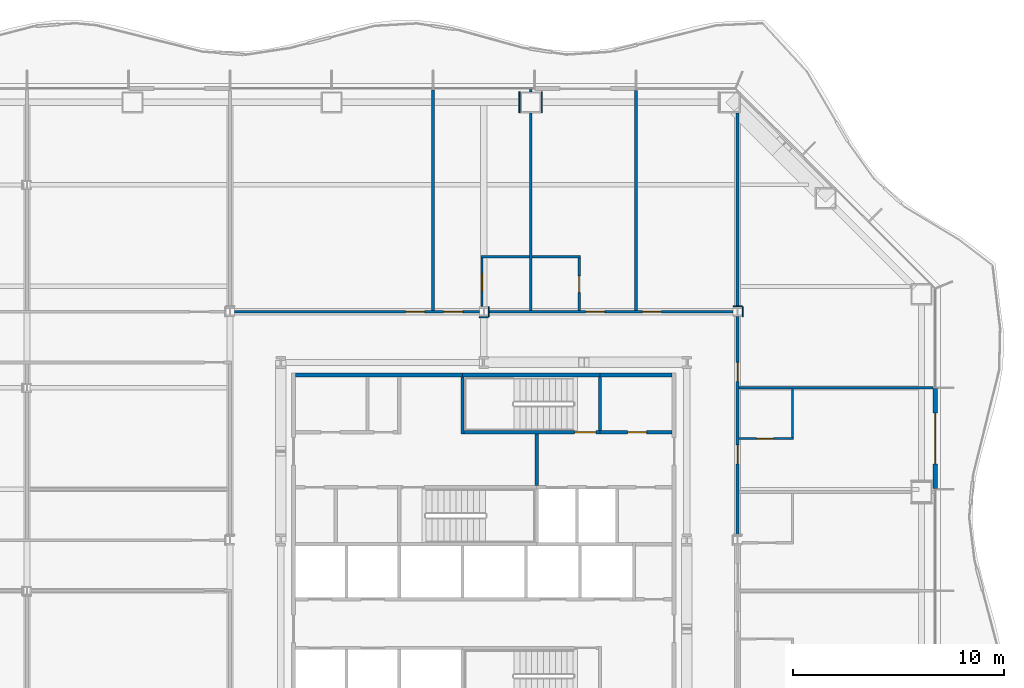
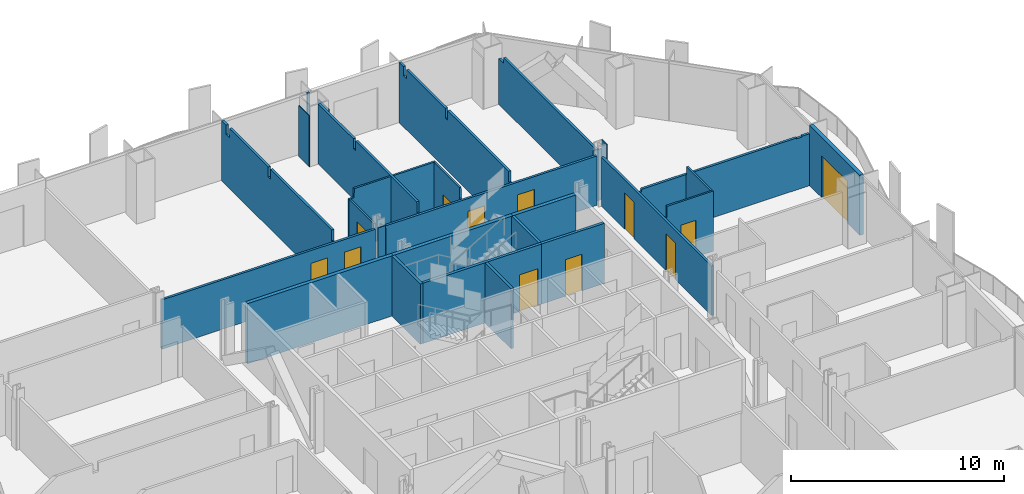
# One storey, part 13 of 21: 30 walls, 12 doors, 12 openings.
"""IFC4 building model written with IfcOpenShell, lengths in metres."""

from ifc_helpers import new_model, si_unit, direction, frame, frame_2d, origin, place, context, subcontext, project, spatial, polyline, rectangle, outline, extrude, material, layer, layer_set, type_object, element, fill, save


model = new_model("IFC4")

# Units and contexts
model_context = context("Model", 3, precision=1e-05, world=origin(), true_north=direction((0.0, 1.0)))
body_context = subcontext(model_context, "Body", "Model", "MODEL_VIEW")
ifc_project = project(units=[si_unit("LENGTHUNIT", "METRE"), si_unit("AREAUNIT", "SQUARE_METRE"), si_unit("VOLUMEUNIT", "CUBIC_METRE"), si_unit("PLANEANGLEUNIT", "RADIAN"), si_unit("MASSUNIT", "GRAM", prefix="KILO")], contexts=[model_context])

# Site, building, storey
site_placement = place(None, origin())
site = spatial("IfcSite", under=ifc_project, at=site_placement, CompositionType="ELEMENT")
building_placement = place(site_placement, origin())
building = spatial("IfcBuilding", under=site, at=building_placement, Name="Cairn Pilgrim Tower", CompositionType="ELEMENT")
storey_placement = place(building_placement, frame((0.0, 0.0, 54.60009765625)))
storey = spatial("IfcBuildingStorey", under=building, at=storey_placement, Name="L11", CompositionType="ELEMENT", Elevation=54.60009765625)

# Wall, opening, door
ifc_material_1 = material(Name="Bronze anodised aluminium insulated sandwich panel with mineral wool fill", Category="aluminium")
ifc_layer_1 = layer(ifc_material_1, 0.199951171875)
ifc_layer_set_1 = layer_set([ifc_layer_1], Name="BRONZE INFILL FRAME WALL 200")
wall_type_1 = type_object("IfcWallType", Name="BRONZE INFILL FRAME WALL 200", PredefinedType="NOTDEFINED", material=ifc_layer_set_1)
wall_1_placement = place(storey_placement, frame((28.550048828125, 4.830078125, 0.0), z_axis=(0.0, 0.0, 1.0), x_axis=(0.0, 1.0, 0.0)))
wall_1 = element("IfcWall", 1, at=wall_1_placement, inside=storey, type_object=wall_type_1, Name="Bronze infill frame wall IW-E5", PredefinedType="NOTDEFINED", context=body_context, shape_type="SweptSolid", body=[
    extrude(rectangle(XDim=4.739990234375, YDim=0.199951171875, at=frame_2d((2.3701171875, 0.0))), origin(), (0.0, 0.0, 1.0), 3.449951171875),
])
opening_1_placement = place(wall_1_placement, frame((1.169921875, 0.0, 0.0)))
opening_1 = element("IfcOpeningElement", 2, at=opening_1_placement, cuts=wall_1, Name="Opening 1126B", PredefinedType="OPENING", context=body_context, shape_type="SweptSolid", body=[
    extrude(rectangle(XDim=2.39990234375, YDim=2.39990234375, at=frame_2d((1.199951171875, 1.199951171875))), frame((0.0, 0.10986328125, 0.0), z_axis=(0.0, -1.0, 0.0), x_axis=(1.0, 0.0, 0.0)), (0.0, 0.0, 1.0), 0.219970703125),
])
ifc_material_2 = material(Name="Bronze anodised aluminium frame with tinted low-E glass", Category="aluminium")
door_type_1 = type_object("IfcDoorType", Name="BALCONY SLIDING DOOR 2400x2400", OperationType="DOUBLE_DOOR_SLIDING", PredefinedType="DOOR", material=ifc_material_2)
door_1_placement = place(opening_1_placement, origin())
door_1 = element("IfcDoor", 3, at=door_1_placement, inside=storey, type_object=door_type_1, Name="Balcony sliding door 1126B", OperationType="SINGLE_SWING_LEFT", OverallHeight=2.39990234375, OverallWidth=2.39990234375, PredefinedType="DOOR", context=body_context, shape_type="SweptSolid", body=[
    extrude(rectangle(XDim=2.39990234375, YDim=2.39990234375, at=frame_2d((1.199951171875, 1.199951171875))), frame((0.0, 0.02490234375, 0.0), z_axis=(0.0, -1.0, 0.0), x_axis=(1.0, 0.0, 0.0)), (0.0, 0.0, 1.0), 0.050048828125),
])
fill(opening_1, door_1)

# Walls
ifc_material_3 = material(Name="Concrete C32/40", Category="concrete")
ifc_layer_2 = layer(ifc_material_3, 0.199951171875)
ifc_layer_set_2 = layer_set([ifc_layer_2], Name="CORE OUTER WALL 200 EI 120")
wall_type_2 = type_object("IfcWallType", Name="CORE OUTER WALL 200 EI 120", PredefinedType="SOLIDWALL", material=ifc_layer_set_2)
wall_2_placement = place(storey_placement, frame((-1.699951171875, 10.199951171875, 0.0), z_axis=(0.0, 0.0, 1.0), x_axis=(1.0, 0.0, 0.0)))
element("IfcWall", 4, at=wall_2_placement, inside=storey, type_object=wall_type_2, Name="CW:L11:H11-1", PredefinedType="SOLIDWALL", context=body_context, shape_type="SweptSolid", body=[
    extrude(rectangle(XDim=7.89990234375, YDim=0.199951171875, at=frame_2d((3.949951171875, 0.0))), origin(), (0.0, 0.0, 1.0), 3.449951171875),
])
wall_3_placement = place(storey_placement, frame((12.699951171875, 10.199951171875, 0.0), z_axis=(0.0, 0.0, 1.0), x_axis=(1.0, 0.0, 0.0)))
element("IfcWall", 5, at=wall_3_placement, inside=storey, type_object=wall_type_2, Name="CW:L11:H11-3", PredefinedType="SOLIDWALL", context=body_context, shape_type="SweptSolid", body=[
    extrude(rectangle(XDim=3.400146484375, YDim=0.199951171875, at=frame_2d((1.7001953125, 0.0))), origin(), (0.0, 0.0, 1.0), 3.449951171875),
])

# Wall, opening, door
ifc_layer_3 = layer(ifc_material_3, 0.14990234375)
ifc_layer_set_3 = layer_set([ifc_layer_3], Name="CORE SHAFT WALL 150 EI 120")
wall_type_3 = type_object("IfcWallType", Name="CORE SHAFT WALL 150 EI 120", PredefinedType="SOLIDWALL", material=ifc_layer_set_3)
wall_4_placement = place(storey_placement, frame((12.699951171875, 7.5, 0.0), z_axis=(0.0, 0.0, 1.0), x_axis=(1.0, 0.0, 0.0)))
wall_4 = element("IfcWall", 6, at=wall_4_placement, inside=storey, type_object=wall_type_3, Name="CW:L11:H10-2", PredefinedType="SOLIDWALL", context=body_context, shape_type="SweptSolid", body=[
    extrude(rectangle(XDim=3.400146484375, YDim=0.14990234375, at=frame_2d((1.7001953125, 0.0))), origin(), (0.0, 0.0, 1.0), 3.449951171875),
])
opening_2_placement = place(wall_4_placement, frame((1.300048828125, 0.0, 0.0)))
opening_2 = element("IfcOpeningElement", 7, at=opening_2_placement, cuts=wall_4, Name="Opening RD-R4E", PredefinedType="OPENING", context=body_context, shape_type="SweptSolid", body=[
    extrude(rectangle(XDim=0.89990234375, YDim=2.10009765625, at=frame_2d((0.449951171875, 1.050048828125))), frame((0.0, 0.0849609375, 0.0), z_axis=(0.0, -1.0, 0.0), x_axis=(1.0, 0.0, 0.0)), (0.0, 0.0, 1.0), 0.169921875),
])
ifc_material_4 = material(Name="Painted steel", Category="steel")
door_type_2 = type_object("IfcDoorType", Name="SERVICE ROOM DOOR 900x2100", OperationType="SINGLE_SWING_LEFT", PredefinedType="DOOR", material=ifc_material_4)
door_2_placement = place(opening_2_placement, origin())
door_2 = element("IfcDoor", 8, at=door_2_placement, inside=storey, type_object=door_type_2, Name="RD-R4E", OperationType="SINGLE_SWING_RIGHT", OverallHeight=2.10009765625, OverallWidth=0.89990234375, PredefinedType="DOOR", context=body_context, shape_type="SweptSolid", body=[
    extrude(rectangle(XDim=0.89990234375, YDim=2.10009765625, at=frame_2d((0.449951171875, 1.050048828125))), frame((0.0, 0.02490234375, 0.0), z_axis=(0.0, -1.0, 0.0), x_axis=(1.0, 0.0, 0.0)), (0.0, 0.0, 1.0), 0.050048828125),
])
fill(opening_2, door_2)

# Wall
wall_5_placement = place(storey_placement, frame((9.699951171875, 4.97509765625, 0.0), z_axis=(0.0, 0.0, 1.0), x_axis=(0.0, 1.0, 0.0)))
element("IfcWall", 9, at=wall_5_placement, inside=storey, type_object=wall_type_3, Name="CW:L11:V26", PredefinedType="SOLIDWALL", context=body_context, shape_type="SweptSolid", body=[
    extrude(rectangle(XDim=2.449951171875, YDim=0.14990234375, at=frame_2d((1.22509765625, 0.0))), origin(), (0.0, 0.0, 1.0), 3.449951171875),
])

# Wall, opening, door
ifc_material_5 = material(Name="Gypsum partition")
ifc_layer_4 = layer(ifc_material_5, 0.10009765625)
ifc_layer_set_4 = layer_set([ifc_layer_4], Name="PARTITION 100 DRYWALL")
wall_type_4 = type_object("IfcWallType", Name="PARTITION 100 DRYWALL", PredefinedType="PARTITIONING", material=ifc_layer_set_4)
wall_6_placement = place(storey_placement, frame((19.262451171875, 7.199951171875, 0.0), z_axis=(0.0, 0.0, 1.0), x_axis=(1.0, 0.0, 0.0)))
wall_6 = element("IfcWall", 10, at=wall_6_placement, inside=storey, type_object=wall_type_4, Name="PARTITION W060", PredefinedType="PARTITIONING", context=body_context, shape_type="SweptSolid", body=[
    extrude(outline(polyline([(0.0, 0.0), (2.587646484375, 0.0), (2.58740234375, 3.449951171875), (0.08740234375, 3.449951171875), (0.08544921875, 2.829833984375), (0.0, 2.829833984375), (0.0, 0.0)])), frame((0.0, 0.050048828125, 0.0), z_axis=(0.0, -1.0, 0.0), x_axis=(1.0, 0.0, 0.0)), (0.0, 0.0, 1.0), 0.10009765625),
])
opening_3_placement = place(wall_6_placement, frame((0.83740234375, 0.0, 0.0)))
opening_3 = element("IfcOpeningElement", 11, at=opening_3_placement, cuts=wall_6, Name="Opening 1126E", PredefinedType="OPENING", context=body_context, shape_type="SweptSolid", body=[
    extrude(rectangle(XDim=0.800048828125, YDim=2.10009765625, at=frame_2d((0.39990234375, 1.050048828125))), frame((0.0, 0.06005859375, 0.0), z_axis=(0.0, -1.0, 0.0), x_axis=(1.0, 0.0, 0.0)), (0.0, 0.0, 1.0), 0.1201171875),
])
ifc_material_6 = material(Name="Timber door leaf", Category="wood")
door_type_3 = type_object("IfcDoorType", Name="DOOR 800x2100", OperationType="NOTDEFINED", PredefinedType="DOOR", material=ifc_material_6)
door_3_placement = place(opening_3_placement, origin())
door_3 = element("IfcDoor", 12, at=door_3_placement, inside=storey, type_object=door_type_3, Name="DOOR 1126E", OperationType="SINGLE_SWING_LEFT", OverallHeight=2.10009765625, OverallWidth=0.800048828125, PredefinedType="DOOR", context=body_context, shape_type="SweptSolid", body=[
    extrude(rectangle(XDim=0.800048828125, YDim=2.10009765625, at=frame_2d((0.39990234375, 1.050048828125))), frame((0.0, 0.02490234375, 0.0), z_axis=(0.0, -1.0, 0.0), x_axis=(1.0, 0.0, 0.0)), (0.0, 0.0, 1.0), 0.050048828125),
])
fill(opening_3, door_3)

# Wall
wall_7_placement = place(storey_placement, frame((21.800048828125, 7.25, 0.0), z_axis=(0.0, 0.0, 1.0), x_axis=(0.0, 1.0, 0.0)))
element("IfcWall", 13, at=wall_7_placement, inside=storey, type_object=wall_type_4, Name="PARTITION W061", PredefinedType="PARTITIONING", context=body_context, shape_type="SweptSolid", body=[
    extrude(outline(polyline([(0.0, 0.0), (2.28759765625, 0.0), (2.28759765625, 2.97998046875), (2.2548828125, 2.97998046875), (2.2529296875, 3.449951171875), (0.0, 3.449951171875), (0.0, 0.0)])), frame((0.0, 0.050048828125, 0.0), z_axis=(0.0, -1.0, 0.0), x_axis=(1.0, 0.0, 0.0)), (0.0, 0.0, 1.0), 0.10009765625),
])

# Wall, opening, door
wall_8_placement = place(storey_placement, frame((11.714111328125, 13.262451171875, 0.0), z_axis=(0.0, 0.0, 1.0), x_axis=(0.0, 1.0, 0.0)))
wall_8 = element("IfcWall", 14, at=wall_8_placement, inside=storey, type_object=wall_type_4, Name="PARTITION W073", PredefinedType="PARTITIONING", context=body_context, shape_type="SweptSolid", body=[
    extrude(outline(polyline([(0.0, 0.0), (2.487548828125, 0.0), (2.487548828125, 3.449951171875), (0.08740234375, 3.449951171875), (0.08544921875, 2.829833984375), (0.0, 2.829833984375), (0.0, 0.0)])), frame((0.0, 0.050048828125, 0.0), z_axis=(0.0, -1.0, 0.0), x_axis=(1.0, 0.0, 0.0)), (0.0, 0.0, 1.0), 0.10009765625),
])
opening_4_placement = place(wall_8_placement, frame((0.83740234375, 0.0, 0.0)))
opening_4 = element("IfcOpeningElement", 15, at=opening_4_placement, cuts=wall_8, Name="Opening 1120E", PredefinedType="OPENING", context=body_context, shape_type="SweptSolid", body=[
    extrude(rectangle(XDim=0.800048828125, YDim=2.10009765625, at=frame_2d((0.39990234375, 1.050048828125))), frame((0.0, 0.06005859375, 0.0), z_axis=(0.0, -1.0, 0.0), x_axis=(1.0, 0.0, 0.0)), (0.0, 0.0, 1.0), 0.1201171875),
])
door_4_placement = place(opening_4_placement, origin())
door_4 = element("IfcDoor", 16, at=door_4_placement, inside=storey, type_object=door_type_3, Name="DOOR 1120E", OperationType="SINGLE_SWING_LEFT", OverallHeight=2.10009765625, OverallWidth=0.800048828125, PredefinedType="DOOR", context=body_context, shape_type="SweptSolid", body=[
    extrude(rectangle(XDim=0.800048828125, YDim=2.10009765625, at=frame_2d((0.39990234375, 1.050048828125))), frame((0.0, 0.02490234375, 0.0), z_axis=(0.0, -1.0, 0.0), x_axis=(1.0, 0.0, 0.0)), (0.0, 0.0, 1.0), 0.050048828125),
])
fill(opening_4, door_4)

wall_9_placement = place(storey_placement, frame((7.114013671875, 13.43701171875, 0.0), z_axis=(0.0, 0.0, 1.0), x_axis=(0.0, 1.0, 0.0)))
wall_9 = element("IfcWall", 17, at=wall_9_placement, inside=storey, type_object=wall_type_4, Name="PARTITION W076", PredefinedType="PARTITIONING", context=body_context, shape_type="SweptSolid", body=[
    extrude(rectangle(XDim=2.31298828125, YDim=0.10009765625, at=frame_2d((1.156494140625, 0.0))), origin(), (0.0, 0.0, 1.0), 2.929931640625),
])
opening_5_placement = place(wall_9_placement, frame((0.762939453125, 0.0, 0.0)))
opening_5 = element("IfcOpeningElement", 18, at=opening_5_placement, cuts=wall_9, Name="Opening 1119E", PredefinedType="OPENING", context=body_context, shape_type="SweptSolid", body=[
    extrude(rectangle(XDim=0.800048828125, YDim=2.10009765625, at=frame_2d((0.39990234375, 1.050048828125))), frame((0.0, 0.06005859375, 0.0), z_axis=(0.0, -1.0, 0.0), x_axis=(1.0, 0.0, 0.0)), (0.0, 0.0, 1.0), 0.1201171875),
])
door_5_placement = place(opening_5_placement, frame((0.800048828125, 0.0, 0.0), z_axis=(0.0, 0.0, 1.0), x_axis=(-1.0, 0.0, 0.0)))
door_5 = element("IfcDoor", 19, at=door_5_placement, inside=storey, type_object=door_type_3, Name="DOOR 1119E", OperationType="SINGLE_SWING_LEFT", OverallHeight=2.10009765625, OverallWidth=0.800048828125, PredefinedType="DOOR", context=body_context, shape_type="SweptSolid", body=[
    extrude(rectangle(XDim=0.800048828125, YDim=2.10009765625, at=frame_2d((0.39990234375, 1.050048828125))), frame((0.0, 0.02490234375, 0.0), z_axis=(0.0, -1.0, 0.0), x_axis=(1.0, 0.0, 0.0)), (0.0, 0.0, 1.0), 0.050048828125),
])
fill(opening_5, door_5)

# Walls
wall_10_placement = place(storey_placement, frame((7.06396484375, 15.800048828125, 0.0), z_axis=(0.0, 0.0, 1.0), x_axis=(1.0, 0.0, 0.0)))
element("IfcWall", 20, at=wall_10_placement, inside=storey, type_object=wall_type_4, Name="PARTITION W080", PredefinedType="PARTITIONING", context=body_context, shape_type="SweptSolid", body=[
    extrude(outline(polyline([(0.0, 0.0), (2.28759765625, 0.0), (2.28759765625, 3.449951171875), (0.285888671875, 3.449951171875), (0.283935546875, 2.929931640625), (0.0, 2.929931640625), (0.0, 0.0)])), frame((0.0, 0.050048828125, 0.0), z_axis=(0.0, -1.0, 0.0), x_axis=(1.0, 0.0, 0.0)), (0.0, 0.0, 1.0), 0.10009765625),
])
wall_11_placement = place(storey_placement, frame((9.4765625, 15.800048828125, 0.0), z_axis=(0.0, 0.0, 1.0), x_axis=(1.0, 0.0, 0.0)))
element("IfcWall", 21, at=wall_11_placement, inside=storey, type_object=wall_type_4, Name="PARTITION W081", PredefinedType="PARTITIONING", context=body_context, shape_type="SweptSolid", body=[
    extrude(rectangle(XDim=2.287353515625, YDim=0.10009765625, at=frame_2d((1.1435546875, 0.0))), origin(), (0.0, 0.0, 1.0), 3.449951171875),
])

# Wall, openings, doors
ifc_layer_5 = layer(ifc_material_5, 0.125)
ifc_layer_set_5 = layer_set([ifc_layer_5], Name="PARTITION 125 DRYWALL EI 60")
wall_type_5 = type_object("IfcWallType", Name="PARTITION 125 DRYWALL EI 60", PredefinedType="PARTITIONING", material=ifc_layer_set_5)
wall_12_placement = place(storey_placement, frame((19.199951171875, 2.636962890625, 0.0), z_axis=(0.0, 0.0, 1.0), x_axis=(0.0, 1.0, 0.0)))
wall_12 = element("IfcWall", 22, at=wall_12_placement, inside=storey, type_object=wall_type_5, Name="PARTITION W054", PredefinedType="PARTITIONING", context=body_context, shape_type="SweptSolid", body=[
    extrude(rectangle(XDim=10.325927734375, YDim=0.125, at=frame_2d((5.1630859375, 0.0))), origin(), (0.0, 0.0, 1.0), 2.829833984375),
])
opening_6_placement = place(wall_12_placement, frame((3.363037109375, 0.0, 0.0)))
opening_6 = element("IfcOpeningElement", 23, at=opening_6_placement, cuts=wall_12, Name="Opening 1126", PredefinedType="OPENING", context=body_context, shape_type="SweptSolid", body=[
    extrude(rectangle(XDim=0.89990234375, YDim=2.10009765625, at=frame_2d((0.449951171875, 1.050048828125))), frame((0.0, 0.072509765625, 0.0), z_axis=(0.0, -1.0, 0.0), x_axis=(1.0, 0.0, 0.0)), (0.0, 0.0, 1.0), 0.14501953125),
])
opening_7_placement = place(wall_12_placement, frame((7.262939453125, 0.0, 0.0)))
opening_7 = element("IfcOpeningElement", 24, at=opening_7_placement, cuts=wall_12, Name="Opening 1127", PredefinedType="OPENING", context=body_context, shape_type="SweptSolid", body=[
    extrude(rectangle(XDim=0.89990234375, YDim=2.10009765625, at=frame_2d((0.449951171875, 1.050048828125))), frame((0.0, 0.072509765625, 0.0), z_axis=(0.0, -1.0, 0.0), x_axis=(1.0, 0.0, 0.0)), (0.0, 0.0, 1.0), 0.14501953125),
])
ifc_material_7 = material(Name="Steel-faced fire door leaf", Category="steel")
door_type_4 = type_object("IfcDoorType", Name="FIRE DOOR 900x2100 FD30S", OperationType="NOTDEFINED", PredefinedType="DOOR", material=ifc_material_7)
door_6_placement = place(opening_6_placement, frame((0.89990234375, 0.0, 0.0), z_axis=(0.0, 0.0, 1.0), x_axis=(-1.0, 0.0, 0.0)))
door_6 = element("IfcDoor", 25, at=door_6_placement, inside=storey, type_object=door_type_4, Name="DOOR 1126", OperationType="SINGLE_SWING_RIGHT", OverallHeight=2.10009765625, OverallWidth=0.89990234375, PredefinedType="DOOR", context=body_context, shape_type="SweptSolid", body=[
    extrude(rectangle(XDim=0.89990234375, YDim=2.10009765625, at=frame_2d((0.449951171875, 1.050048828125))), frame((0.0, 0.02490234375, 0.0), z_axis=(0.0, -1.0, 0.0), x_axis=(1.0, 0.0, 0.0)), (0.0, 0.0, 1.0), 0.050048828125),
])
fill(opening_6, door_6)
door_7_placement = place(opening_7_placement, frame((0.89990234375, 0.0, 0.0), z_axis=(0.0, 0.0, 1.0), x_axis=(-1.0, 0.0, 0.0)))
door_7 = element("IfcDoor", 26, at=door_7_placement, inside=storey, type_object=door_type_4, Name="DOOR 1127", OperationType="SINGLE_SWING_RIGHT", OverallHeight=2.10009765625, OverallWidth=0.89990234375, PredefinedType="DOOR", context=body_context, shape_type="SweptSolid", body=[
    extrude(rectangle(XDim=0.89990234375, YDim=2.10009765625, at=frame_2d((0.449951171875, 1.050048828125))), frame((0.0, 0.02490234375, 0.0), z_axis=(0.0, -1.0, 0.0), x_axis=(1.0, 0.0, 0.0)), (0.0, 0.0, 1.0), 0.050048828125),
])
fill(opening_7, door_7)

# Wall
wall_13_placement = place(storey_placement, frame((19.262451171875, 9.60009765625, 0.0), z_axis=(0.0, 0.0, 1.0), x_axis=(1.0, 0.0, 0.0)))
element("IfcWall", 27, at=wall_13_placement, inside=storey, type_object=wall_type_5, Name="PARTITION W063", PredefinedType="PARTITIONING", context=body_context, shape_type="SweptSolid", body=[
    extrude(outline(polyline([(0.0, 0.0), (9.1875, 0.0), (9.1875, 2.97998046875), (8.78759765625, 2.97998046875), (8.785400390625, 2.929931640625), (8.487548828125, 2.929931640625), (8.485595703125, 2.97998046875), (0.08740234375, 2.97998046875), (0.08544921875, 2.829833984375), (0.0, 2.829833984375), (0.0, 0.0)])), frame((0.0, 0.0625, 0.0), z_axis=(0.0, -1.0, 0.0), x_axis=(1.0, 0.0, 0.0)), (0.0, 0.0, 1.0), 0.125),
])

# Wall, openings, doors
wall_14_placement = place(storey_placement, frame((-4.587890625, 13.199951171875, 0.0), z_axis=(0.0, 0.0, 1.0), x_axis=(1.0, 0.0, 0.0)))
wall_14 = element("IfcWall", 28, at=wall_14_placement, inside=storey, type_object=wall_type_5, Name="PARTITION W067", PredefinedType="PARTITIONING", context=body_context, shape_type="SweptSolid", body=[
    extrude(rectangle(XDim=11.575927734375, YDim=0.125, at=frame_2d((5.7880859375, 0.0))), origin(), (0.0, 0.0, 1.0), 2.829833984375),
])
opening_8_placement = place(wall_14_placement, frame((8.087890625, 0.0, 0.0)))
opening_8 = element("IfcOpeningElement", 29, at=opening_8_placement, cuts=wall_14, Name="Opening 1118", PredefinedType="OPENING", context=body_context, shape_type="SweptSolid", body=[
    extrude(rectangle(XDim=0.89990234375, YDim=2.10009765625, at=frame_2d((0.449951171875, 1.050048828125))), frame((0.0, 0.072509765625, 0.0), z_axis=(0.0, -1.0, 0.0), x_axis=(1.0, 0.0, 0.0)), (0.0, 0.0, 1.0), 0.14501953125),
])
opening_9_placement = place(wall_14_placement, frame((9.887939453125, 0.0, 0.0)))
opening_9 = element("IfcOpeningElement", 30, at=opening_9_placement, cuts=wall_14, Name="Opening 1119", PredefinedType="OPENING", context=body_context, shape_type="SweptSolid", body=[
    extrude(rectangle(XDim=0.89990234375, YDim=2.10009765625, at=frame_2d((0.449951171875, 1.050048828125))), frame((0.0, 0.072509765625, 0.0), z_axis=(0.0, -1.0, 0.0), x_axis=(1.0, 0.0, 0.0)), (0.0, 0.0, 1.0), 0.14501953125),
])
door_8_placement = place(opening_8_placement, origin())
door_8 = element("IfcDoor", 31, at=door_8_placement, inside=storey, type_object=door_type_4, Name="DOOR 1118", OperationType="SINGLE_SWING_LEFT", OverallHeight=2.10009765625, OverallWidth=0.89990234375, PredefinedType="DOOR", context=body_context, shape_type="SweptSolid", body=[
    extrude(rectangle(XDim=0.89990234375, YDim=2.10009765625, at=frame_2d((0.449951171875, 1.050048828125))), frame((0.0, 0.02490234375, 0.0), z_axis=(0.0, -1.0, 0.0), x_axis=(1.0, 0.0, 0.0)), (0.0, 0.0, 1.0), 0.050048828125),
])
fill(opening_8, door_8)
door_9_placement = place(opening_9_placement, origin())
door_9 = element("IfcDoor", 32, at=door_9_placement, inside=storey, type_object=door_type_4, Name="DOOR 1119", OperationType="SINGLE_SWING_RIGHT", OverallHeight=2.10009765625, OverallWidth=0.89990234375, PredefinedType="DOOR", context=body_context, shape_type="SweptSolid", body=[
    extrude(rectangle(XDim=0.89990234375, YDim=2.10009765625, at=frame_2d((0.449951171875, 1.050048828125))), frame((0.0, 0.02490234375, 0.0), z_axis=(0.0, -1.0, 0.0), x_axis=(1.0, 0.0, 0.0)), (0.0, 0.0, 1.0), 0.050048828125),
])
fill(opening_9, door_9)

wall_15_placement = place(storey_placement, frame((7.412109375, 13.199951171875, 0.0), z_axis=(0.0, 0.0, 1.0), x_axis=(1.0, 0.0, 0.0)))
wall_15 = element("IfcWall", 33, at=wall_15_placement, inside=storey, type_object=wall_type_5, Name="PARTITION W068", PredefinedType="PARTITIONING", context=body_context, shape_type="SweptSolid", body=[
    extrude(rectangle(XDim=11.575927734375, YDim=0.125, at=frame_2d((5.7880859375, 0.0))), origin(), (0.0, 0.0, 1.0), 2.829833984375),
])
opening_10_placement = place(wall_15_placement, frame((4.60205078125, 0.0, 0.0)))
opening_10 = element("IfcOpeningElement", 34, at=opening_10_placement, cuts=wall_15, Name="Opening 1120", PredefinedType="OPENING", context=body_context, shape_type="SweptSolid", body=[
    extrude(rectangle(XDim=0.89990234375, YDim=2.10009765625, at=frame_2d((0.449951171875, 1.050048828125))), frame((0.0, 0.072509765625, 0.0), z_axis=(0.0, -1.0, 0.0), x_axis=(1.0, 0.0, 0.0)), (0.0, 0.0, 1.0), 0.14501953125),
])
opening_11_placement = place(wall_15_placement, frame((7.2880859375, 0.0, 0.0)))
opening_11 = element("IfcOpeningElement", 35, at=opening_11_placement, cuts=wall_15, Name="Opening 1121", PredefinedType="OPENING", context=body_context, shape_type="SweptSolid", body=[
    extrude(rectangle(XDim=0.89990234375, YDim=2.10009765625, at=frame_2d((0.449951171875, 1.050048828125))), frame((0.0, 0.072509765625, 0.0), z_axis=(0.0, -1.0, 0.0), x_axis=(1.0, 0.0, 0.0)), (0.0, 0.0, 1.0), 0.14501953125),
])
door_10_placement = place(opening_10_placement, origin())
door_10 = element("IfcDoor", 36, at=door_10_placement, inside=storey, type_object=door_type_4, Name="DOOR 1120", OperationType="SINGLE_SWING_RIGHT", OverallHeight=2.10009765625, OverallWidth=0.89990234375, PredefinedType="DOOR", context=body_context, shape_type="SweptSolid", body=[
    extrude(rectangle(XDim=0.89990234375, YDim=2.10009765625, at=frame_2d((0.449951171875, 1.050048828125))), frame((0.0, 0.02490234375, 0.0), z_axis=(0.0, -1.0, 0.0), x_axis=(1.0, 0.0, 0.0)), (0.0, 0.0, 1.0), 0.050048828125),
])
fill(opening_10, door_10)
door_11_placement = place(opening_11_placement, origin())
door_11 = element("IfcDoor", 37, at=door_11_placement, inside=storey, type_object=door_type_4, Name="DOOR 1121", OperationType="SINGLE_SWING_RIGHT", OverallHeight=2.10009765625, OverallWidth=0.89990234375, PredefinedType="DOOR", context=body_context, shape_type="SweptSolid", body=[
    extrude(rectangle(XDim=0.89990234375, YDim=2.10009765625, at=frame_2d((0.449951171875, 1.050048828125))), frame((0.0, 0.02490234375, 0.0), z_axis=(0.0, -1.0, 0.0), x_axis=(1.0, 0.0, 0.0)), (0.0, 0.0, 1.0), 0.050048828125),
])
fill(opening_11, door_11)

# Walls
wall_16_placement = place(storey_placement, frame((4.800048828125, 13.262451171875, 0.0), z_axis=(0.0, 0.0, 1.0), x_axis=(0.0, 1.0, 0.0)))
element("IfcWall", 38, at=wall_16_placement, inside=storey, type_object=wall_type_5, Name="PARTITION W071", PredefinedType="PARTITIONING", context=body_context, shape_type="SweptSolid", body=[
    extrude(outline(polyline([(0.0, 0.0), (10.427490234375, 0.0), (10.427490234375, 3.449951171875), (9.987548828125, 3.449951171875), (9.985595703125, 2.929931640625), (9.6875, 2.929931640625), (9.685546875, 3.449951171875), (6.04248046875, 3.449951171875), (6.04052734375, 2.8798828125), (5.83251953125, 2.8798828125), (5.83056640625, 3.449951171875), (0.08740234375, 3.449951171875), (0.08544921875, 2.829833984375), (0.0, 2.829833984375), (0.0, 0.0)])), frame((0.0, 0.0625, 0.0), z_axis=(0.0, -1.0, 0.0), x_axis=(1.0, 0.0, 0.0)), (0.0, 0.0, 1.0), 0.125),
])
wall_17_placement = place(storey_placement, frame((9.4140625, 13.262451171875, 0.0), z_axis=(0.0, 0.0, 1.0), x_axis=(0.0, 1.0, 0.0)))
element("IfcWall", 39, at=wall_17_placement, inside=storey, type_object=wall_type_5, Name="PARTITION W072", PredefinedType="PARTITIONING", context=body_context, shape_type="SweptSolid", body=[
    extrude(outline(polyline([(0.0, 0.0), (9.337646484375, 0.0), (9.33740234375, 3.449951171875), (6.04248046875, 3.449951171875), (6.04052734375, 2.8798828125), (5.83251953125, 2.8798828125), (5.83056640625, 3.449951171875), (0.08740234375, 3.449951171875), (0.08544921875, 2.829833984375), (0.0, 2.829833984375), (0.0, 0.0)])), frame((0.0, 0.0625, 0.0), z_axis=(0.0, -1.0, 0.0), x_axis=(1.0, 0.0, 0.0)), (0.0, 0.0, 1.0), 0.125),
])
wall_18_placement = place(storey_placement, frame((14.39990234375, 13.262451171875, 0.0), z_axis=(0.0, 0.0, 1.0), x_axis=(0.0, 1.0, 0.0)))
element("IfcWall", 40, at=wall_18_placement, inside=storey, type_object=wall_type_5, Name="PARTITION W074", PredefinedType="PARTITIONING", context=body_context, shape_type="SweptSolid", body=[
    extrude(outline(polyline([(0.0, 0.0), (10.387451171875, 0.0), (10.387451171875, 3.449951171875), (9.987548828125, 3.449951171875), (9.985595703125, 2.929931640625), (9.6875, 2.929931640625), (9.685546875, 3.449951171875), (6.04248046875, 3.449951171875), (6.04052734375, 2.8798828125), (5.83251953125, 2.8798828125), (5.83056640625, 3.449951171875), (0.08740234375, 3.449951171875), (0.08544921875, 2.829833984375), (0.0, 2.829833984375), (0.0, 0.0)])), frame((0.0, 0.0625, 0.0), z_axis=(0.0, -1.0, 0.0), x_axis=(1.0, 0.0, 0.0)), (0.0, 0.0, 1.0), 0.125),
])
wall_19_placement = place(storey_placement, frame((19.199951171875, 13.43701171875, 0.0), z_axis=(0.0, 0.0, 1.0), x_axis=(0.0, 1.0, 0.0)))
element("IfcWall", 41, at=wall_19_placement, inside=storey, type_object=wall_type_5, Name="PARTITION W077", PredefinedType="PARTITIONING", context=body_context, shape_type="SweptSolid", body=[
    extrude(outline(polyline([(0.0, 0.0), (9.1630859375, 0.0), (9.1630859375, 2.6298828125), (8.732666015625, 2.6298828125), (8.730712890625, 2.929931640625), (0.0, 2.929931640625), (0.0, 0.0)])), frame((0.0, 0.0625, 0.0), z_axis=(0.0, -1.0, 0.0), x_axis=(1.0, 0.0, 0.0)), (0.0, 0.0, 1.0), 0.125),
])
wall_20_placement = place(storey_placement, frame((9.4140625, 23.60009765625, 0.0), z_axis=(0.0, 0.0, 1.0), x_axis=(0.0, 1.0, 0.0)))
element("IfcWall", 42, at=wall_20_placement, inside=storey, type_object=wall_type_5, Name="PARTITION W083", PredefinedType="PARTITIONING", context=body_context, shape_type="SweptSolid", body=[
    extrude(rectangle(XDim=0.102783203125, YDim=0.125, at=frame_2d((0.05126953125, 0.0))), origin(), (0.0, 0.0, 1.0), 3.449951171875),
])
ifc_layer_6 = layer(ifc_material_5, 0.050048828125)
ifc_layer_set_6 = layer_set([ifc_layer_6], Name="PARTITION 50 DRYWALL")
wall_type_6 = type_object("IfcWallType", Name="PARTITION 50 DRYWALL", PredefinedType="PARTITIONING", material=ifc_layer_set_6)
wall_21_placement = place(storey_placement, frame((7.43701171875, 12.962890625, 0.0), z_axis=(0.0, 0.0, 1.0), x_axis=(0.0, 1.0, 0.0)))
element("IfcWall", 43, at=wall_21_placement, inside=storey, type_object=wall_type_6, Name="COLUMN CASING WC37", PredefinedType="PARTITIONING", context=body_context, shape_type="SweptSolid", body=[
    extrude(rectangle(XDim=0.47412109375, YDim=0.050048828125, at=frame_2d((0.237060546875, 0.0))), origin(), (0.0, 0.0, 1.0), 2.829833984375),
])
ifc_layer_7 = layer(ifc_material_5, 0.050048828125)
ifc_layer_set_7 = layer_set([ifc_layer_7], Name="PARTITION 50 DRYWALL EI 60")
wall_type_7 = type_object("IfcWallType", Name="PARTITION 50 DRYWALL EI 60", PredefinedType="PARTITIONING", material=ifc_layer_set_7)
wall_22_placement = place(storey_placement, frame((19.43701171875, 12.962890625, 0.0), z_axis=(0.0, 0.0, 1.0), x_axis=(0.0, 1.0, 0.0)))
element("IfcWall", 44, at=wall_22_placement, inside=storey, type_object=wall_type_7, Name="COLUMN CASING WC11", PredefinedType="PARTITIONING", context=body_context, shape_type="SweptSolid", body=[
    extrude(rectangle(XDim=0.47412109375, YDim=0.050048828125, at=frame_2d((0.237060546875, 0.0))), origin(), (0.0, 0.0, 1.0), 3.449951171875),
])
wall_23_placement = place(storey_placement, frame((6.988037109375, 12.93798828125, 0.0), z_axis=(0.0, 0.0, 1.0), x_axis=(1.0, 0.0, 0.0)))
element("IfcWall", 45, at=wall_23_placement, inside=storey, type_object=wall_type_7, Name="COLUMN CASING WC31", PredefinedType="PARTITIONING", context=body_context, shape_type="SweptSolid", body=[
    extrude(rectangle(XDim=0.424072265625, YDim=0.050048828125, at=frame_2d((0.2119140625, 0.0))), origin(), (0.0, 0.0, 1.0), 3.02978515625),
])
wall_24_placement = place(storey_placement, frame((18.988037109375, 13.4619140625, 0.0), z_axis=(0.0, 0.0, 1.0), x_axis=(1.0, 0.0, 0.0)))
element("IfcWall", 46, at=wall_24_placement, inside=storey, type_object=wall_type_7, Name="COLUMN CASING WC32", PredefinedType="PARTITIONING", context=body_context, shape_type="SweptSolid", body=[
    extrude(rectangle(XDim=0.424072265625, YDim=0.050048828125, at=frame_2d((0.2119140625, 0.0))), origin(), (0.0, 0.0, 1.0), 2.929931640625),
])
for number, where, z_axis, x_axis, name in (
    (47, (8.888671875, 22.60009765625, 0.0), (0.0, 0.0, 1.0), (0.0, 1.0, 0.0), "COLUMN CASING WC38"),
    (48, (9.938720703125, 22.60009765625, 0.0), (0.0, 0.0, 1.0), (0.0, 1.0, 0.0), "COLUMN CASING WC39"),
):
    element("IfcWall", number, at=place(storey_placement, frame(where, z_axis=z_axis, x_axis=x_axis)), inside=storey, type_object=wall_type_7, Name=name, PredefinedType="PARTITIONING", context=body_context, shape_type="SweptSolid", body=[
        extrude(rectangle(XDim=1.0, YDim=0.050048828125, at=frame_2d((0.5, 0.0))), origin(), (0.0, 0.0, 1.0), 2.929931640625),
    ])

# Wall, opening, door
ifc_material_8 = material(Name="Concrete C35/45", Category="concrete")
ifc_layer_8 = layer(ifc_material_8, 0.14990234375)
ifc_layer_set_8 = layer_set([ifc_layer_8], Name="STAIR SHAFT WALL 150 EI 120")
wall_type_8 = type_object("IfcWallType", Name="STAIR SHAFT WALL 150 EI 120", PredefinedType="SOLIDWALL", material=ifc_layer_set_8)
wall_25_placement = place(storey_placement, frame((6.27490234375, 7.5, 0.0), z_axis=(0.0, 0.0, 1.0), x_axis=(1.0, 0.0, 0.0)))
wall_25 = element("IfcWall", 49, at=wall_25_placement, inside=storey, type_object=wall_type_8, Name="CW:L11:H10-1", PredefinedType="SOLIDWALL", context=body_context, shape_type="SweptSolid", body=[
    extrude(rectangle(XDim=6.425048828125, YDim=0.14990234375, at=frame_2d((3.21240234375, 0.0))), origin(), (0.0, 0.0, 1.0), 3.449951171875),
])
opening_12_placement = place(wall_25_placement, frame((5.22509765625, 0.0, 0.0)))
opening_12 = element("IfcOpeningElement", 50, at=opening_12_placement, cuts=wall_25, Name="Opening SD-C", PredefinedType="OPENING", context=body_context, shape_type="SweptSolid", body=[
    extrude(rectangle(XDim=1.0, YDim=2.10009765625, at=frame_2d((0.5, 1.050048828125))), frame((0.0, 0.0849609375, 0.0), z_axis=(0.0, -1.0, 0.0), x_axis=(1.0, 0.0, 0.0)), (0.0, 0.0, 1.0), 0.169921875),
])
door_type_5 = type_object("IfcDoorType", Name="STAIR DOOR FD60S 1000x2100", OperationType="SINGLE_SWING_LEFT", PredefinedType="DOOR", material=ifc_material_4)
door_12_placement = place(opening_12_placement, origin())
door_12 = element("IfcDoor", 51, at=door_12_placement, inside=storey, type_object=door_type_5, Name="SD-C", OperationType="SINGLE_SWING_LEFT", OverallHeight=2.10009765625, OverallWidth=1.0, PredefinedType="DOOR", context=body_context, shape_type="SweptSolid", body=[
    extrude(rectangle(XDim=1.0, YDim=2.10009765625, at=frame_2d((0.5, 1.050048828125))), frame((0.0, 0.02490234375, 0.0), z_axis=(0.0, -1.0, 0.0), x_axis=(1.0, 0.0, 0.0)), (0.0, 0.0, 1.0), 0.050048828125),
])
fill(opening_12, door_12)

# Walls
wall_26_placement = place(storey_placement, frame((6.199951171875, 7.425048828125, 0.0), z_axis=(0.0, 0.0, 1.0), x_axis=(0.0, 1.0, 0.0)))
element("IfcWall", 52, at=wall_26_placement, inside=storey, type_object=wall_type_8, Name="CW:L11:V23", PredefinedType="SOLIDWALL", context=body_context, shape_type="SweptSolid", body=[
    extrude(rectangle(XDim=2.675048828125, YDim=0.14990234375, at=frame_2d((1.33740234375, 0.0))), origin(), (0.0, 0.0, 1.0), 3.449951171875),
])
wall_27_placement = place(storey_placement, frame((12.699951171875, 7.574951171875, 0.0), z_axis=(0.0, 0.0, 1.0), x_axis=(0.0, 1.0, 0.0)))
element("IfcWall", 53, at=wall_27_placement, inside=storey, type_object=wall_type_8, Name="CW:L11:V30", PredefinedType="SOLIDWALL", context=body_context, shape_type="SweptSolid", body=[
    extrude(rectangle(XDim=2.525146484375, YDim=0.14990234375, at=frame_2d((1.2626953125, 0.0))), origin(), (0.0, 0.0, 1.0), 3.449951171875),
])
ifc_layer_9 = layer(ifc_material_8, 0.199951171875)
ifc_layer_set_9 = layer_set([ifc_layer_9], Name="STAIR SHAFT WALL 200 EI 120")
wall_type_9 = type_object("IfcWallType", Name="STAIR SHAFT WALL 200 EI 120", PredefinedType="SOLIDWALL", material=ifc_layer_set_9)
wall_28_placement = place(storey_placement, frame((6.199951171875, 10.199951171875, 0.0), z_axis=(0.0, 0.0, 1.0), x_axis=(1.0, 0.0, 0.0)))
element("IfcWall", 54, at=wall_28_placement, inside=storey, type_object=wall_type_9, Name="CW:L11:H11-2", PredefinedType="SOLIDWALL", context=body_context, shape_type="SweptSolid", body=[
    extrude(rectangle(XDim=6.5, YDim=0.199951171875, at=frame_2d((3.25, 0.0))), origin(), (0.0, 0.0, 1.0), 3.449951171875),
])

save(model, "model.ifc")
